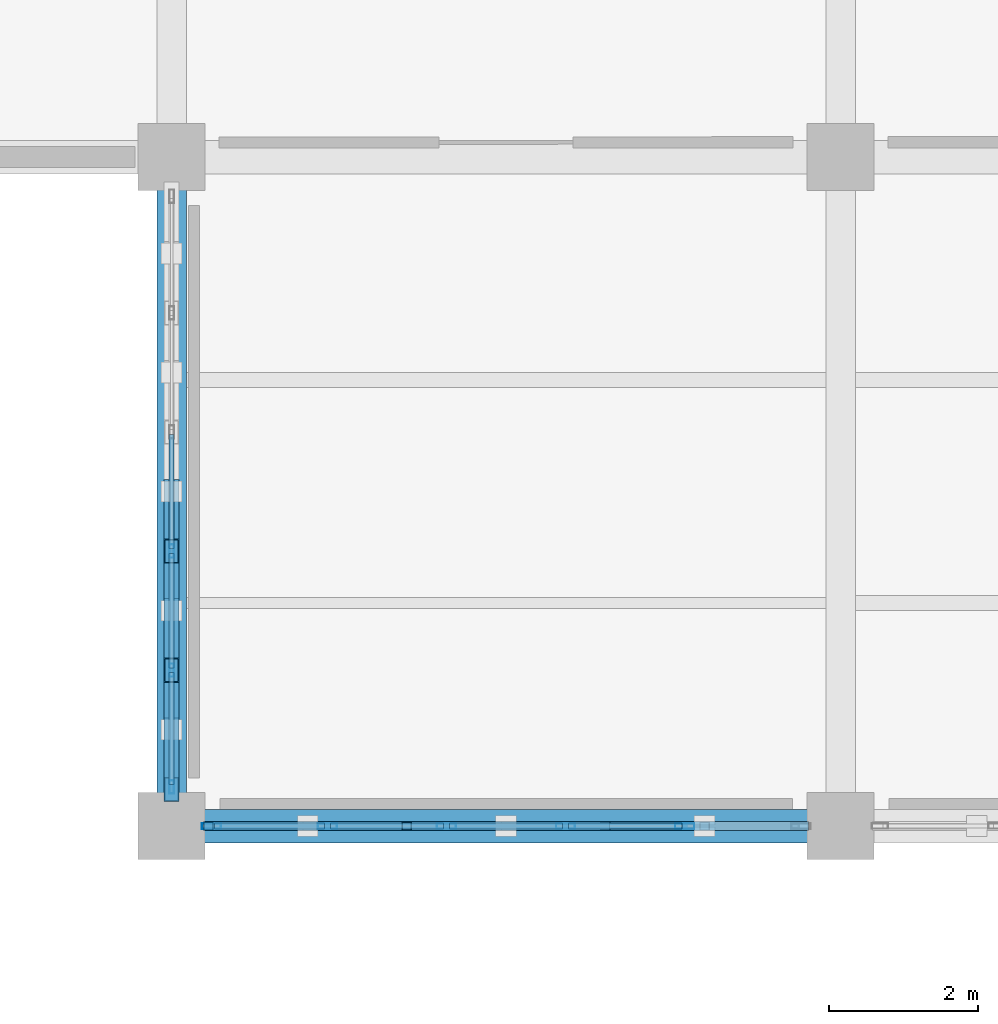
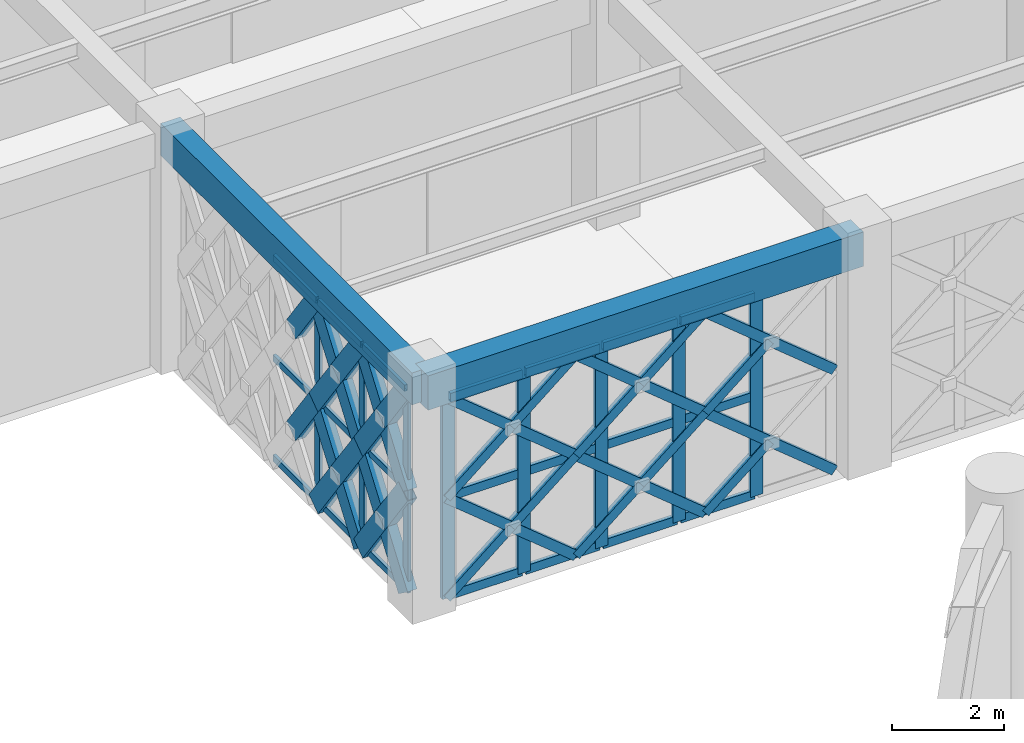
# One storey, part 74 of 166: 59 members, 2 beams, 2 elements without a shape of their own.
"""IFC4 building model written with IfcOpenShell, lengths in metres."""

from ifc_helpers import new_model, si_unit, direction, frame, origin, origin_2d, place, context, subcontext, project, spatial, rectangle, hollow_rectangle, extrude, material, material_profile, profile_set, type_object, element, aggregate, save


model = new_model("IFC4")

# Units and contexts
model_context = context("Model", 3, precision=1e-05, world=origin(), true_north=direction((0.0, 1.0)))
body_context = subcontext(model_context, "Body", "Model", "MODEL_VIEW")
ifc_project = project(units=[si_unit("LENGTHUNIT", "METRE"), si_unit("AREAUNIT", "SQUARE_METRE"), si_unit("VOLUMEUNIT", "CUBIC_METRE"), si_unit("PLANEANGLEUNIT", "RADIAN"), si_unit("MASSUNIT", "GRAM", prefix="KILO")], contexts=[model_context])

# Site, building, storey
site_placement = place(None, origin())
site = spatial("IfcSite", under=ifc_project, at=site_placement, CompositionType="ELEMENT")
building_placement = place(site_placement, origin())
building = spatial("IfcBuilding", under=site, at=building_placement, Name="Haizhuo Lancet Aquarium", CompositionType="ELEMENT")
storey_placement = place(building_placement, frame((0.0, 0.0, 5.39990234375)))
storey = spatial("IfcBuildingStorey", under=building, at=storey_placement, Name="L01", CompositionType="ELEMENT", Elevation=5.39990234375)

# Beams
ifc_material_1 = material(Name="Concrete C40/50", Category="concrete")
ifc_material_profile_1 = material_profile(ifc_material_1, rectangle(XDim=0.39990234375, YDim=0.699951171875, at=origin_2d()), Name="RC-BM 400x700")
ifc_profile_set_1 = profile_set([ifc_material_profile_1], Name="Concrete C40/50")
beam_type_1 = type_object("IfcBeamType", Name="BM-RC-400x700", PredefinedType="BEAM", material=ifc_profile_set_1)
beam_1_placement = place(storey_placement, frame((-18.0, 27.0, 4.7900390625), z_axis=(0.0, 1.0, 0.0), x_axis=(-1.0, 0.0, 0.0)))
element("IfcBeam", 1, at=beam_1_placement, inside=storey, type_object=beam_type_1, Name="L01 V5 primary girder BM-L01-V5-003", PredefinedType="BEAM", context=body_context, shape_type="SweptSolid", body=[
    extrude(rectangle(XDim=0.39990234375, YDim=0.699951171875, at=origin_2d()), origin(), (0.0, 0.0, 1.0), 9.0),
])
ifc_material_profile_2 = material_profile(ifc_material_1, rectangle(XDim=0.449951171875, YDim=0.75, at=origin_2d()), Name="RC-BM 450x750")
ifc_profile_set_2 = profile_set([ifc_material_profile_2], Name="Concrete C40/50")
beam_type_2 = type_object("IfcBeamType", Name="BM-RC-450x750", PredefinedType="BEAM", material=ifc_profile_set_2)
beam_2_placement = place(storey_placement, frame((-18.0, 27.0, 4.76513671875), z_axis=(1.0, 0.0, 0.0), x_axis=(0.0, 1.0, 0.0)))
element("IfcBeam", 2, at=beam_2_placement, inside=storey, type_object=beam_type_2, Name="L01 V5 primary girder BM-L01-V5-004", PredefinedType="BEAM", context=body_context, shape_type="SweptSolid", body=[
    extrude(rectangle(XDim=0.449951171875, YDim=0.75, at=origin_2d()), origin(), (0.0, 0.0, 1.0), 9.0),
])

# Curtain wall, members
ifc_material_2 = material(Name="Aluminium 6063-T6", Category="aluminium")
curtain_wall_type_1 = type_object("IfcCurtainWallType", Name="CWD-8010x4440", PredefinedType="NOTDEFINED", material=ifc_material_2)
curtain_wall_1_placement = place(storey_placement, origin())
curtain_wall_1 = element("IfcCurtainWall", 3, at=curtain_wall_1_placement, inside=storey, type_object=curtain_wall_type_1, Name="L01 curtain wall CW-V5-L01-142", PredefinedType="NOTDEFINED")
ifc_material_profile_3 = material_profile(ifc_material_2, hollow_rectangle(XDim=0.06494140625, YDim=0.179931640625, WallThickness=0.00390625, at=origin_2d()), Name="ALU-M 65x180x4")
ifc_profile_set_3 = profile_set([ifc_material_profile_3], Name="Aluminium 6063-T6")
member_type_1 = type_object("IfcMemberType", Name="CW-MUL-1", PredefinedType="MULLION", material=ifc_profile_set_3)
member_1_placement = place(storey_placement, frame((-18.0, 27.527099609375, 0.0), z_axis=(0.0, 0.0, 1.0), x_axis=(-1.0, 0.0, 0.0)))
member_1 = element("IfcMember", 4, at=member_1_placement, type_object=member_type_1, Name="CWD-80x44 mullion 1", PredefinedType="MULLION", context=body_context, shape_type="SweptSolid", body=[
    extrude(hollow_rectangle(XDim=0.06494140625, YDim=0.179931640625, WallThickness=0.00390625, at=origin_2d()), origin(), (0.0, 0.0, 1.0), 4.440185546875),
])
member_2_placement = place(storey_placement, frame((-18.0, 29.096923828125, 0.0), z_axis=(0.0, 0.0, 1.0), x_axis=(-1.0, 0.0, 0.0)))
member_2 = element("IfcMember", 5, at=member_2_placement, type_object=member_type_1, Name="CWD-80x44 mullion 2", PredefinedType="MULLION", context=body_context, shape_type="SweptSolid", body=[
    extrude(hollow_rectangle(XDim=0.06494140625, YDim=0.179931640625, WallThickness=0.00390625, at=origin_2d()), origin(), (0.0, 0.0, 1.0), 4.440185546875),
])
member_3_placement = place(storey_placement, frame((-18.0, 30.698974609375, 0.0), z_axis=(0.0, 0.0, 1.0), x_axis=(-1.0, 0.0, 0.0)))
member_3 = element("IfcMember", 6, at=member_3_placement, type_object=member_type_1, Name="CWD-80x44 mullion 3", PredefinedType="MULLION", context=body_context, shape_type="SweptSolid", body=[
    extrude(hollow_rectangle(XDim=0.06494140625, YDim=0.179931640625, WallThickness=0.00390625, at=origin_2d()), origin(), (0.0, 0.0, 1.0), 4.440185546875),
])

curtain_wall_type_2 = type_object("IfcCurtainWallType", Name="CWO-8010x4390", PredefinedType="NOTDEFINED", material=ifc_material_2)
curtain_wall_2_placement = place(storey_placement, origin())
curtain_wall_2 = element("IfcCurtainWall", 7, at=curtain_wall_2_placement, inside=storey, type_object=curtain_wall_type_2, Name="L01 curtain wall CW-V5-L01-141", PredefinedType="NOTDEFINED")
ifc_material_profile_4 = material_profile(ifc_material_2, hollow_rectangle(XDim=0.080078125, YDim=0.260009765625, WallThickness=0.0048828125, at=origin_2d()), Name="ALU-M 80x260x5")
ifc_profile_set_4 = profile_set([ifc_material_profile_4], Name="Aluminium 6063-T6")
member_type_2 = type_object("IfcMemberType", Name="CW-MUL-3", PredefinedType="MULLION", material=ifc_profile_set_4)
member_4_placement = place(storey_placement, frame((-11.096923828125, 27.0, 0.0), z_axis=(0.0, 0.0, 1.0), x_axis=(0.0, -1.0, 0.0)))
member_4 = element("IfcMember", 8, at=member_4_placement, type_object=member_type_2, Name="CWO-80x43 mullion 2", PredefinedType="MULLION", context=body_context, shape_type="SweptSolid", body=[
    extrude(hollow_rectangle(XDim=0.080078125, YDim=0.260009765625, WallThickness=0.0048828125, at=origin_2d()), origin(), (0.0, 0.0, 1.0), 4.39013671875),
])
member_5_placement = place(storey_placement, frame((-12.698974609375, 27.0, 0.0), z_axis=(0.0, 0.0, 1.0), x_axis=(0.0, -1.0, 0.0)))
member_5 = element("IfcMember", 9, at=member_5_placement, type_object=member_type_2, Name="CWO-80x43 mullion 3", PredefinedType="MULLION", context=body_context, shape_type="SweptSolid", body=[
    extrude(hollow_rectangle(XDim=0.080078125, YDim=0.260009765625, WallThickness=0.0048828125, at=origin_2d()), origin(), (0.0, 0.0, 1.0), 4.39013671875),
])
member_6_placement = place(storey_placement, frame((-14.301025390625, 27.0, 0.0), z_axis=(0.0, 0.0, 1.0), x_axis=(0.0, -1.0, 0.0)))
member_6 = element("IfcMember", 10, at=member_6_placement, type_object=member_type_2, Name="CWO-80x43 mullion 4", PredefinedType="MULLION", context=body_context, shape_type="SweptSolid", body=[
    extrude(hollow_rectangle(XDim=0.080078125, YDim=0.260009765625, WallThickness=0.0048828125, at=origin_2d()), origin(), (0.0, 0.0, 1.0), 4.39013671875),
])
member_7_placement = place(storey_placement, frame((-15.903076171875, 27.0, 0.0), z_axis=(0.0, 0.0, 1.0), x_axis=(0.0, -1.0, 0.0)))
member_7 = element("IfcMember", 11, at=member_7_placement, type_object=member_type_2, Name="CWO-80x43 mullion 5", PredefinedType="MULLION", context=body_context, shape_type="SweptSolid", body=[
    extrude(hollow_rectangle(XDim=0.080078125, YDim=0.260009765625, WallThickness=0.0048828125, at=origin_2d()), origin(), (0.0, 0.0, 1.0), 4.39013671875),
])
member_8_placement = place(storey_placement, frame((-17.465087890625, 27.0, 0.0), z_axis=(0.0, 0.0, 1.0), x_axis=(0.0, -1.0, 0.0)))
member_8 = element("IfcMember", 12, at=member_8_placement, type_object=member_type_2, Name="CWO-80x43 mullion 6", PredefinedType="MULLION", context=body_context, shape_type="SweptSolid", body=[
    extrude(hollow_rectangle(XDim=0.080078125, YDim=0.260009765625, WallThickness=0.0048828125, at=origin_2d()), origin(), (0.0, 0.0, 1.0), 4.39013671875),
])

# Member
ifc_material_profile_5 = material_profile(ifc_material_2, hollow_rectangle(XDim=0.06494140625, YDim=0.139892578125, WallThickness=0.00390625, at=origin_2d()), Name="ALU-T 65x140x4")
ifc_profile_set_5 = profile_set([ifc_material_profile_5], Name="Aluminium 6063-T6")
member_type_3 = type_object("IfcMemberType", Name="CW-TRN-1", PredefinedType="NOTDEFINED", material=ifc_profile_set_5)
member_9_placement = place(storey_placement, frame((-18.0, 27.56005859375, 0.033203125), z_axis=(0.0, 1.0, 0.0), x_axis=(-1.0, 0.0, 0.0)))
member_9 = element("IfcMember", 13, at=member_9_placement, type_object=member_type_3, Name="CWD-80x44 transom 1.1", ObjectType="TRANSOM", PredefinedType="USERDEFINED", context=body_context, shape_type="SweptSolid", body=[
    extrude(hollow_rectangle(XDim=0.06494140625, YDim=0.139892578125, WallThickness=0.00390625, at=origin_2d()), origin(), (0.0, 0.0, 1.0), 1.5048828125),
])

member_10_placement = place(storey_placement, frame((-18.0, 27.56005859375, 2.22021484375), z_axis=(0.0, 1.0, 0.0), x_axis=(-1.0, 0.0, 0.0)))
member_10 = element("IfcMember", 14, at=member_10_placement, type_object=member_type_3, Name="CWD-80x44 transom 1.2", ObjectType="TRANSOM", PredefinedType="USERDEFINED", context=body_context, shape_type="SweptSolid", body=[
    extrude(hollow_rectangle(XDim=0.06494140625, YDim=0.139892578125, WallThickness=0.00390625, at=origin_2d()), origin(), (0.0, 0.0, 1.0), 1.5048828125),
])

member_11_placement = place(storey_placement, frame((-18.0, 27.56005859375, 4.406982421875), z_axis=(0.0, 1.0, 0.0), x_axis=(-1.0, 0.0, 0.0)))
member_11 = element("IfcMember", 15, at=member_11_placement, type_object=member_type_3, Name="CWD-80x44 transom 1.3", ObjectType="TRANSOM", PredefinedType="USERDEFINED", context=body_context, shape_type="SweptSolid", body=[
    extrude(hollow_rectangle(XDim=0.06494140625, YDim=0.139892578125, WallThickness=0.00390625, at=origin_2d()), origin(), (0.0, 0.0, 1.0), 1.5048828125),
])

member_12_placement = place(storey_placement, frame((-18.0, 29.1298828125, 0.033203125), z_axis=(0.0, 1.0, 0.0), x_axis=(-1.0, 0.0, 0.0)))
member_12 = element("IfcMember", 16, at=member_12_placement, type_object=member_type_3, Name="CWD-80x44 transom 2.1", ObjectType="TRANSOM", PredefinedType="USERDEFINED", context=body_context, shape_type="SweptSolid", body=[
    extrude(hollow_rectangle(XDim=0.06494140625, YDim=0.139892578125, WallThickness=0.00390625, at=origin_2d()), origin(), (0.0, 0.0, 1.0), 1.537109375),
])

member_13_placement = place(storey_placement, frame((-18.0, 29.1298828125, 2.22021484375), z_axis=(0.0, 1.0, 0.0), x_axis=(-1.0, 0.0, 0.0)))
member_13 = element("IfcMember", 17, at=member_13_placement, type_object=member_type_3, Name="CWD-80x44 transom 2.2", ObjectType="TRANSOM", PredefinedType="USERDEFINED", context=body_context, shape_type="SweptSolid", body=[
    extrude(hollow_rectangle(XDim=0.06494140625, YDim=0.139892578125, WallThickness=0.00390625, at=origin_2d()), origin(), (0.0, 0.0, 1.0), 1.537109375),
])

member_14_placement = place(storey_placement, frame((-18.0, 29.1298828125, 4.406982421875), z_axis=(0.0, 1.0, 0.0), x_axis=(-1.0, 0.0, 0.0)))
member_14 = element("IfcMember", 18, at=member_14_placement, type_object=member_type_3, Name="CWD-80x44 transom 2.3", ObjectType="TRANSOM", PredefinedType="USERDEFINED", context=body_context, shape_type="SweptSolid", body=[
    extrude(hollow_rectangle(XDim=0.06494140625, YDim=0.139892578125, WallThickness=0.00390625, at=origin_2d()), origin(), (0.0, 0.0, 1.0), 1.537109375),
])

member_15_placement = place(storey_placement, frame((-18.0, 30.73193359375, 0.033203125), z_axis=(0.0, 1.0, 0.0), x_axis=(-1.0, 0.0, 0.0)))
member_15 = element("IfcMember", 19, at=member_15_placement, type_object=member_type_3, Name="CWD-80x44 transom 3.1", ObjectType="TRANSOM", PredefinedType="USERDEFINED", context=body_context, shape_type="SweptSolid", body=[
    extrude(hollow_rectangle(XDim=0.06494140625, YDim=0.139892578125, WallThickness=0.00390625, at=origin_2d()), origin(), (0.0, 0.0, 1.0), 1.537109375),
])

member_16_placement = place(storey_placement, frame((-18.0, 30.73193359375, 2.22021484375), z_axis=(0.0, 1.0, 0.0), x_axis=(-1.0, 0.0, 0.0)))
member_16 = element("IfcMember", 20, at=member_16_placement, type_object=member_type_3, Name="CWD-80x44 transom 3.2", ObjectType="TRANSOM", PredefinedType="USERDEFINED", context=body_context, shape_type="SweptSolid", body=[
    extrude(hollow_rectangle(XDim=0.06494140625, YDim=0.139892578125, WallThickness=0.00390625, at=origin_2d()), origin(), (0.0, 0.0, 1.0), 1.537109375),
])

member_17_placement = place(storey_placement, frame((-18.0, 30.73193359375, 4.406982421875), z_axis=(0.0, 1.0, 0.0), x_axis=(-1.0, 0.0, 0.0)))
member_17 = element("IfcMember", 21, at=member_17_placement, type_object=member_type_3, Name="CWD-80x44 transom 3.3", ObjectType="TRANSOM", PredefinedType="USERDEFINED", context=body_context, shape_type="SweptSolid", body=[
    extrude(hollow_rectangle(XDim=0.06494140625, YDim=0.139892578125, WallThickness=0.00390625, at=origin_2d()), origin(), (0.0, 0.0, 1.0), 1.537109375),
])

aggregate(curtain_wall_1, [member_1, member_2, member_3, member_9, member_10, member_11, member_12, member_13, member_14, member_15, member_16, member_17])

ifc_material_profile_6 = material_profile(ifc_material_2, hollow_rectangle(XDim=0.080078125, YDim=0.18994140625, WallThickness=0.0048828125, at=origin_2d()), Name="ALU-T 80x190x5")
ifc_profile_set_6 = profile_set([ifc_material_profile_6], Name="Aluminium 6063-T6")
member_type_4 = type_object("IfcMemberType", Name="CW-TRN-3", PredefinedType="NOTDEFINED", material=ifc_profile_set_6)
member_18_placement = place(storey_placement, frame((-11.136962890625, 27.0, 0.0400390625), z_axis=(-1.0, 0.0, 0.0), x_axis=(0.0, -1.0, 0.0)))
member_18 = element("IfcMember", 22, at=member_18_placement, type_object=member_type_4, Name="CWO-80x43 transom 2.1", ObjectType="TRANSOM", PredefinedType="USERDEFINED", context=body_context, shape_type="SweptSolid", body=[
    extrude(hollow_rectangle(XDim=0.080078125, YDim=0.18994140625, WallThickness=0.0048828125, at=origin_2d()), origin(), (0.0, 0.0, 1.0), 1.52197265625),
])

member_19_placement = place(storey_placement, frame((-11.136962890625, 27.0, 2.195068359375), z_axis=(-1.0, 0.0, 0.0), x_axis=(0.0, -1.0, 0.0)))
member_19 = element("IfcMember", 23, at=member_19_placement, type_object=member_type_4, Name="CWO-80x43 transom 2.2", ObjectType="TRANSOM", PredefinedType="USERDEFINED", context=body_context, shape_type="SweptSolid", body=[
    extrude(hollow_rectangle(XDim=0.080078125, YDim=0.18994140625, WallThickness=0.0048828125, at=origin_2d()), origin(), (0.0, 0.0, 1.0), 1.52197265625),
])

member_20_placement = place(storey_placement, frame((-11.136962890625, 27.0, 4.35009765625), z_axis=(-1.0, 0.0, 0.0), x_axis=(0.0, -1.0, 0.0)))
member_20 = element("IfcMember", 24, at=member_20_placement, type_object=member_type_4, Name="CWO-80x43 transom 2.3", ObjectType="TRANSOM", PredefinedType="USERDEFINED", context=body_context, shape_type="SweptSolid", body=[
    extrude(hollow_rectangle(XDim=0.080078125, YDim=0.18994140625, WallThickness=0.0048828125, at=origin_2d()), origin(), (0.0, 0.0, 1.0), 1.52197265625),
])

member_21_placement = place(storey_placement, frame((-12.739013671875, 27.0, 0.0400390625), z_axis=(-1.0, 0.0, 0.0), x_axis=(0.0, -1.0, 0.0)))
member_21 = element("IfcMember", 25, at=member_21_placement, type_object=member_type_4, Name="CWO-80x43 transom 3.1", ObjectType="TRANSOM", PredefinedType="USERDEFINED", context=body_context, shape_type="SweptSolid", body=[
    extrude(hollow_rectangle(XDim=0.080078125, YDim=0.18994140625, WallThickness=0.0048828125, at=origin_2d()), origin(), (0.0, 0.0, 1.0), 1.52197265625),
])

member_22_placement = place(storey_placement, frame((-12.739013671875, 27.0, 2.195068359375), z_axis=(-1.0, 0.0, 0.0), x_axis=(0.0, -1.0, 0.0)))
member_22 = element("IfcMember", 26, at=member_22_placement, type_object=member_type_4, Name="CWO-80x43 transom 3.2", ObjectType="TRANSOM", PredefinedType="USERDEFINED", context=body_context, shape_type="SweptSolid", body=[
    extrude(hollow_rectangle(XDim=0.080078125, YDim=0.18994140625, WallThickness=0.0048828125, at=origin_2d()), origin(), (0.0, 0.0, 1.0), 1.52197265625),
])

member_23_placement = place(storey_placement, frame((-12.739013671875, 27.0, 4.35009765625), z_axis=(-1.0, 0.0, 0.0), x_axis=(0.0, -1.0, 0.0)))
member_23 = element("IfcMember", 27, at=member_23_placement, type_object=member_type_4, Name="CWO-80x43 transom 3.3", ObjectType="TRANSOM", PredefinedType="USERDEFINED", context=body_context, shape_type="SweptSolid", body=[
    extrude(hollow_rectangle(XDim=0.080078125, YDim=0.18994140625, WallThickness=0.0048828125, at=origin_2d()), origin(), (0.0, 0.0, 1.0), 1.52197265625),
])

member_24_placement = place(storey_placement, frame((-14.341064453125, 27.0, 0.0400390625), z_axis=(-1.0, 0.0, 0.0), x_axis=(0.0, -1.0, 0.0)))
member_24 = element("IfcMember", 28, at=member_24_placement, type_object=member_type_4, Name="CWO-80x43 transom 4.1", ObjectType="TRANSOM", PredefinedType="USERDEFINED", context=body_context, shape_type="SweptSolid", body=[
    extrude(hollow_rectangle(XDim=0.080078125, YDim=0.18994140625, WallThickness=0.0048828125, at=origin_2d()), origin(), (0.0, 0.0, 1.0), 1.52197265625),
])

member_25_placement = place(storey_placement, frame((-14.341064453125, 27.0, 2.195068359375), z_axis=(-1.0, 0.0, 0.0), x_axis=(0.0, -1.0, 0.0)))
member_25 = element("IfcMember", 29, at=member_25_placement, type_object=member_type_4, Name="CWO-80x43 transom 4.2", ObjectType="TRANSOM", PredefinedType="USERDEFINED", context=body_context, shape_type="SweptSolid", body=[
    extrude(hollow_rectangle(XDim=0.080078125, YDim=0.18994140625, WallThickness=0.0048828125, at=origin_2d()), origin(), (0.0, 0.0, 1.0), 1.52197265625),
])

member_26_placement = place(storey_placement, frame((-14.341064453125, 27.0, 4.35009765625), z_axis=(-1.0, 0.0, 0.0), x_axis=(0.0, -1.0, 0.0)))
member_26 = element("IfcMember", 30, at=member_26_placement, type_object=member_type_4, Name="CWO-80x43 transom 4.3", ObjectType="TRANSOM", PredefinedType="USERDEFINED", context=body_context, shape_type="SweptSolid", body=[
    extrude(hollow_rectangle(XDim=0.080078125, YDim=0.18994140625, WallThickness=0.0048828125, at=origin_2d()), origin(), (0.0, 0.0, 1.0), 1.52197265625),
])

member_27_placement = place(storey_placement, frame((-15.943115234375, 27.0, 0.0400390625), z_axis=(-1.0, 0.0, 0.0), x_axis=(0.0, -1.0, 0.0)))
member_27 = element("IfcMember", 31, at=member_27_placement, type_object=member_type_4, Name="CWO-80x43 transom 5.1", ObjectType="TRANSOM", PredefinedType="USERDEFINED", context=body_context, shape_type="SweptSolid", body=[
    extrude(hollow_rectangle(XDim=0.080078125, YDim=0.18994140625, WallThickness=0.0048828125, at=origin_2d()), origin(), (0.0, 0.0, 1.0), 1.48193359375),
])

member_28_placement = place(storey_placement, frame((-15.943115234375, 27.0, 2.195068359375), z_axis=(-1.0, 0.0, 0.0), x_axis=(0.0, -1.0, 0.0)))
member_28 = element("IfcMember", 32, at=member_28_placement, type_object=member_type_4, Name="CWO-80x43 transom 5.2", ObjectType="TRANSOM", PredefinedType="USERDEFINED", context=body_context, shape_type="SweptSolid", body=[
    extrude(hollow_rectangle(XDim=0.080078125, YDim=0.18994140625, WallThickness=0.0048828125, at=origin_2d()), origin(), (0.0, 0.0, 1.0), 1.48193359375),
])

member_29_placement = place(storey_placement, frame((-15.943115234375, 27.0, 4.35009765625), z_axis=(-1.0, 0.0, 0.0), x_axis=(0.0, -1.0, 0.0)))
member_29 = element("IfcMember", 33, at=member_29_placement, type_object=member_type_4, Name="CWO-80x43 transom 5.3", ObjectType="TRANSOM", PredefinedType="USERDEFINED", context=body_context, shape_type="SweptSolid", body=[
    extrude(hollow_rectangle(XDim=0.080078125, YDim=0.18994140625, WallThickness=0.0048828125, at=origin_2d()), origin(), (0.0, 0.0, 1.0), 1.48193359375),
])

aggregate(curtain_wall_2, [member_4, member_5, member_6, member_7, member_8, member_18, member_19, member_20, member_21, member_22, member_23, member_24, member_25, member_26, member_27, member_28, member_29])

# Members
ifc_material_3 = material(Name="Steel S355", Category="steel")
ifc_material_profile_7 = material_profile(ifc_material_3, hollow_rectangle(XDim=0.1201171875, YDim=0.199951171875, WallThickness=0.008056640625, at=origin_2d()), Name="RHS 120x200x8")
ifc_profile_set_7 = profile_set([ifc_material_profile_7], Name="Steel S355")
member_type_5 = type_object("IfcMemberType", Name="MEM-LB-RHS120x200", PredefinedType="BRACE", material=ifc_profile_set_7)
member_30_placement = place(storey_placement, frame((-9.4951171875, 27.0, 0.0), z_axis=(-0.772453976084, 0.0, 0.635070747895), x_axis=(0.0, -1.0, 0.0)))
element("IfcMember", 34, at=member_30_placement, inside=storey, type_object=member_type_5, Name="Gothic lancet continuous diagonal brace CW-V5-L01-141 1A", PredefinedType="BRACE", context=body_context, shape_type="SweptSolid", body=[
    extrude(hollow_rectangle(XDim=0.1201171875, YDim=0.199951171875, WallThickness=0.008056640625, at=origin_2d()), origin(), (0.0, 0.0, 1.0), 3.456298828125),
])
member_31_placement = place(storey_placement, frame((-12.1650390625, 27.0, 0.0), z_axis=(0.772280733977, 0.0, 0.635281408454), x_axis=(0.0, 1.0, 0.0)))
element("IfcMember", 35, at=member_31_placement, inside=storey, type_object=member_type_5, Name="Gothic lancet split diagonal brace CW-V5-L01-141 1B1", PredefinedType="BRACE", context=body_context, shape_type="SweptSolid", body=[
    extrude(hollow_rectangle(XDim=0.1201171875, YDim=0.199951171875, WallThickness=0.008056640625, at=origin_2d()), origin(), (0.0, 0.0, 1.0), 1.728515625),
])
member_32_placement = place(storey_placement, frame((-9.4951171875, 27.0, 2.195068359375), z_axis=(-0.772453976084, 0.0, 0.635070747895), x_axis=(0.0, -1.0, 0.0)))
element("IfcMember", 36, at=member_32_placement, inside=storey, type_object=member_type_5, Name="Gothic lancet continuous diagonal brace CW-V5-L01-141 2A", PredefinedType="BRACE", context=body_context, shape_type="SweptSolid", body=[
    extrude(hollow_rectangle(XDim=0.1201171875, YDim=0.199951171875, WallThickness=0.008056640625, at=origin_2d()), origin(), (0.0, 0.0, 1.0), 3.456298828125),
])
member_33_placement = place(storey_placement, frame((-12.1650390625, 27.0, 2.195068359375), z_axis=(0.772627238419, 0.0, 0.634859945541), x_axis=(0.0, 1.0, 0.0)))
element("IfcMember", 37, at=member_33_placement, inside=storey, type_object=member_type_5, Name="Gothic lancet split diagonal brace CW-V5-L01-141 2B1", PredefinedType="BRACE", context=body_context, shape_type="SweptSolid", body=[
    extrude(hollow_rectangle(XDim=0.1201171875, YDim=0.199951171875, WallThickness=0.008056640625, at=origin_2d()), origin(), (0.0, 0.0, 1.0), 1.727783203125),
])
member_34_placement = place(storey_placement, frame((-12.1650390625, 27.0, 0.0), z_axis=(-0.772453976084, 0.0, 0.635070747895), x_axis=(0.0, -1.0, 0.0)))
element("IfcMember", 38, at=member_34_placement, inside=storey, type_object=member_type_5, Name="Gothic lancet continuous diagonal brace CW-V5-L01-141 3A", PredefinedType="BRACE", context=body_context, shape_type="SweptSolid", body=[
    extrude(hollow_rectangle(XDim=0.1201171875, YDim=0.199951171875, WallThickness=0.008056640625, at=origin_2d()), origin(), (0.0, 0.0, 1.0), 3.456298828125),
])
member_35_placement = place(storey_placement, frame((-14.8349609375, 27.0, 0.0), z_axis=(0.772280733977, 0.0, 0.635281408454), x_axis=(0.0, 1.0, 0.0)))
element("IfcMember", 39, at=member_35_placement, inside=storey, type_object=member_type_5, Name="Gothic lancet split diagonal brace CW-V5-L01-141 3B1", PredefinedType="BRACE", context=body_context, shape_type="SweptSolid", body=[
    extrude(hollow_rectangle(XDim=0.1201171875, YDim=0.199951171875, WallThickness=0.008056640625, at=origin_2d()), origin(), (0.0, 0.0, 1.0), 1.728515625),
])
member_36_placement = place(storey_placement, frame((-13.5, 27.0, 1.09814453125), z_axis=(0.772627238419, 0.0, 0.634859945541), x_axis=(0.0, 1.0, 0.0)))
element("IfcMember", 40, at=member_36_placement, inside=storey, type_object=member_type_5, Name="Gothic lancet split diagonal brace CW-V5-L01-141 3B2", PredefinedType="BRACE", context=body_context, shape_type="SweptSolid", body=[
    extrude(hollow_rectangle(XDim=0.1201171875, YDim=0.199951171875, WallThickness=0.008056640625, at=origin_2d()), origin(), (0.0, 0.0, 1.0), 1.727783203125),
])
member_37_placement = place(storey_placement, frame((-12.1650390625, 27.0, 2.195068359375), z_axis=(-0.772453976084, 0.0, 0.635070747895), x_axis=(0.0, -1.0, 0.0)))
element("IfcMember", 41, at=member_37_placement, inside=storey, type_object=member_type_5, Name="Gothic lancet continuous diagonal brace CW-V5-L01-141 4A", PredefinedType="BRACE", context=body_context, shape_type="SweptSolid", body=[
    extrude(hollow_rectangle(XDim=0.1201171875, YDim=0.199951171875, WallThickness=0.008056640625, at=origin_2d()), origin(), (0.0, 0.0, 1.0), 3.456298828125),
])
member_38_placement = place(storey_placement, frame((-14.8349609375, 27.0, 2.195068359375), z_axis=(0.772627238419, 0.0, 0.634859945541), x_axis=(0.0, 1.0, 0.0)))
element("IfcMember", 42, at=member_38_placement, inside=storey, type_object=member_type_5, Name="Gothic lancet split diagonal brace CW-V5-L01-141 4B1", PredefinedType="BRACE", context=body_context, shape_type="SweptSolid", body=[
    extrude(hollow_rectangle(XDim=0.1201171875, YDim=0.199951171875, WallThickness=0.008056640625, at=origin_2d()), origin(), (0.0, 0.0, 1.0), 1.727783203125),
])
member_39_placement = place(storey_placement, frame((-13.5, 27.0, 3.2919921875), z_axis=(0.772280733977, 0.0, 0.635281408454), x_axis=(0.0, 1.0, 0.0)))
element("IfcMember", 43, at=member_39_placement, inside=storey, type_object=member_type_5, Name="Gothic lancet split diagonal brace CW-V5-L01-141 4B2", PredefinedType="BRACE", context=body_context, shape_type="SweptSolid", body=[
    extrude(hollow_rectangle(XDim=0.1201171875, YDim=0.199951171875, WallThickness=0.008056640625, at=origin_2d()), origin(), (0.0, 0.0, 1.0), 1.728515625),
])
member_40_placement = place(storey_placement, frame((-14.8349609375, 27.0, 0.0), z_axis=(-0.772453976084, 0.0, 0.635070747895), x_axis=(0.0, -1.0, 0.0)))
element("IfcMember", 44, at=member_40_placement, inside=storey, type_object=member_type_5, Name="Gothic lancet continuous diagonal brace CW-V5-L01-141 5A", PredefinedType="BRACE", context=body_context, shape_type="SweptSolid", body=[
    extrude(hollow_rectangle(XDim=0.1201171875, YDim=0.199951171875, WallThickness=0.008056640625, at=origin_2d()), origin(), (0.0, 0.0, 1.0), 3.456298828125),
])
member_41_placement = place(storey_placement, frame((-17.5048828125, 27.0, 0.0), z_axis=(0.772280733977, 0.0, 0.635281408454), x_axis=(0.0, 1.0, 0.0)))
element("IfcMember", 45, at=member_41_placement, inside=storey, type_object=member_type_5, Name="Gothic lancet split diagonal brace CW-V5-L01-141 5B1", PredefinedType="BRACE", context=body_context, shape_type="SweptSolid", body=[
    extrude(hollow_rectangle(XDim=0.1201171875, YDim=0.199951171875, WallThickness=0.008056640625, at=origin_2d()), origin(), (0.0, 0.0, 1.0), 1.728515625),
])
member_42_placement = place(storey_placement, frame((-16.169921875, 27.0, 1.09814453125), z_axis=(0.772627238419, 0.0, 0.634859945541), x_axis=(0.0, 1.0, 0.0)))
element("IfcMember", 46, at=member_42_placement, inside=storey, type_object=member_type_5, Name="Gothic lancet split diagonal brace CW-V5-L01-141 5B2", PredefinedType="BRACE", context=body_context, shape_type="SweptSolid", body=[
    extrude(hollow_rectangle(XDim=0.1201171875, YDim=0.199951171875, WallThickness=0.008056640625, at=origin_2d()), origin(), (0.0, 0.0, 1.0), 1.727783203125),
])
member_43_placement = place(storey_placement, frame((-14.8349609375, 27.0, 2.195068359375), z_axis=(-0.772453976084, 0.0, 0.635070747895), x_axis=(0.0, -1.0, 0.0)))
element("IfcMember", 47, at=member_43_placement, inside=storey, type_object=member_type_5, Name="Gothic lancet continuous diagonal brace CW-V5-L01-141 6A", PredefinedType="BRACE", context=body_context, shape_type="SweptSolid", body=[
    extrude(hollow_rectangle(XDim=0.1201171875, YDim=0.199951171875, WallThickness=0.008056640625, at=origin_2d()), origin(), (0.0, 0.0, 1.0), 3.456298828125),
])
member_44_placement = place(storey_placement, frame((-17.5048828125, 27.0, 2.195068359375), z_axis=(0.772627238419, 0.0, 0.634859945541), x_axis=(0.0, 1.0, 0.0)))
element("IfcMember", 48, at=member_44_placement, inside=storey, type_object=member_type_5, Name="Gothic lancet split diagonal brace CW-V5-L01-141 6B1", PredefinedType="BRACE", context=body_context, shape_type="SweptSolid", body=[
    extrude(hollow_rectangle(XDim=0.1201171875, YDim=0.199951171875, WallThickness=0.008056640625, at=origin_2d()), origin(), (0.0, 0.0, 1.0), 1.727783203125),
])
member_45_placement = place(storey_placement, frame((-16.169921875, 27.0, 3.2919921875), z_axis=(0.772280733977, 0.0, 0.635281408454), x_axis=(0.0, 1.0, 0.0)))
element("IfcMember", 49, at=member_45_placement, inside=storey, type_object=member_type_5, Name="Gothic lancet split diagonal brace CW-V5-L01-141 6B2", PredefinedType="BRACE", context=body_context, shape_type="SweptSolid", body=[
    extrude(hollow_rectangle(XDim=0.1201171875, YDim=0.199951171875, WallThickness=0.008056640625, at=origin_2d()), origin(), (0.0, 0.0, 1.0), 1.728515625),
])
ifc_material_profile_8 = material_profile(ifc_material_3, hollow_rectangle(XDim=0.199951171875, YDim=0.39990234375, WallThickness=0.011962890625, at=origin_2d()), Name="RHS 200x400x12")
ifc_profile_set_8 = profile_set([ifc_material_profile_8], Name="Steel S355")
member_type_6 = type_object("IfcMemberType", Name="MEM-LB-RHS200x400", PredefinedType="BRACE", material=ifc_profile_set_8)
member_46_placement = place(storey_placement, frame((-18.0, 27.4951171875, 0.0), z_axis=(0.0, 0.58508674522, 0.810970714988), x_axis=(-1.0, 0.0, 0.0)))
element("IfcMember", 50, at=member_46_placement, inside=storey, type_object=member_type_6, Name="Gothic lancet continuous diagonal brace CW-V5-L01-142 1A", PredefinedType="BRACE", context=body_context, shape_type="SweptSolid", body=[
    extrude(hollow_rectangle(XDim=0.199951171875, YDim=0.39990234375, WallThickness=0.011962890625, at=origin_2d()), origin(), (0.0, 0.0, 1.0), 2.73779296875),
])
for number, where, z_axis, x_axis, name in (
    (51, (-18.0, 29.096923828125, 0.0), (0.0, -0.585145389624, 0.810928401896), (1.0, 0.0, 0.0), "Gothic lancet split diagonal brace CW-V5-L01-142 1B1"),
    (52, (-18.0, 28.2958984375, 1.110107421875), (0.0, -0.585028091636, 0.811013028253), (1.0, 0.0, 0.0), "Gothic lancet split diagonal brace CW-V5-L01-142 1B2"),
):
    element("IfcMember", number, at=place(storey_placement, frame(where, z_axis=z_axis, x_axis=x_axis)), inside=storey, type_object=member_type_6, Name=name, PredefinedType="BRACE", context=body_context, shape_type="SweptSolid", body=[
        extrude(hollow_rectangle(XDim=0.199951171875, YDim=0.39990234375, WallThickness=0.011962890625, at=origin_2d()), origin(), (0.0, 0.0, 1.0), 1.368896484375),
    ])
member_47_placement = place(storey_placement, frame((-18.0, 27.4951171875, 2.22021484375), z_axis=(0.0, 0.585129060663, 0.810940184211), x_axis=(-1.0, 0.0, 0.0)))
element("IfcMember", 53, at=member_47_placement, inside=storey, type_object=member_type_6, Name="Gothic lancet continuous diagonal brace CW-V5-L01-142 2A", PredefinedType="BRACE", context=body_context, shape_type="SweptSolid", body=[
    extrude(hollow_rectangle(XDim=0.199951171875, YDim=0.39990234375, WallThickness=0.011962890625, at=origin_2d()), origin(), (0.0, 0.0, 1.0), 2.737548828125),
])
member_48_placement = place(storey_placement, frame((-18.0, 29.096923828125, 2.22021484375), z_axis=(0.0, -0.585230024685, 0.810867324663), x_axis=(1.0, 0.0, 0.0)))
element("IfcMember", 54, at=member_48_placement, inside=storey, type_object=member_type_6, Name="Gothic lancet split diagonal brace CW-V5-L01-142 2B1", PredefinedType="BRACE", context=body_context, shape_type="SweptSolid", body=[
    extrude(hollow_rectangle(XDim=0.199951171875, YDim=0.39990234375, WallThickness=0.011962890625, at=origin_2d()), origin(), (0.0, 0.0, 1.0), 1.36865234375),
])
member_49_placement = place(storey_placement, frame((-18.0, 28.2958984375, 3.330078125), z_axis=(0.0, -0.585028091636, 0.811013028253), x_axis=(1.0, 0.0, 0.0)))
element("IfcMember", 55, at=member_49_placement, inside=storey, type_object=member_type_6, Name="Gothic lancet split diagonal brace CW-V5-L01-142 2B2", PredefinedType="BRACE", context=body_context, shape_type="SweptSolid", body=[
    extrude(hollow_rectangle(XDim=0.199951171875, YDim=0.39990234375, WallThickness=0.011962890625, at=origin_2d()), origin(), (0.0, 0.0, 1.0), 1.368896484375),
])
member_50_placement = place(storey_placement, frame((-18.0, 29.096923828125, 0.0), z_axis=(0.0, 0.585145389624, 0.810928401896), x_axis=(-1.0, 0.0, 0.0)))
element("IfcMember", 56, at=member_50_placement, inside=storey, type_object=member_type_6, Name="Gothic lancet continuous diagonal brace CW-V5-L01-142 3A", PredefinedType="BRACE", context=body_context, shape_type="SweptSolid", body=[
    extrude(hollow_rectangle(XDim=0.199951171875, YDim=0.39990234375, WallThickness=0.011962890625, at=origin_2d()), origin(), (0.0, 0.0, 1.0), 2.73779296875),
])
for number, where, z_axis, x_axis, name in (
    (57, (-18.0, 30.698974609375, 0.0), (0.0, -0.585145389624, 0.810928401896), (1.0, 0.0, 0.0), "Gothic lancet split diagonal brace CW-V5-L01-142 3B1"),
    (58, (-18.0, 29.89794921875, 1.110107421875), (0.0, -0.585145389624, 0.810928401896), (1.0, 0.0, 0.0), "Gothic lancet split diagonal brace CW-V5-L01-142 3B2"),
):
    element("IfcMember", number, at=place(storey_placement, frame(where, z_axis=z_axis, x_axis=x_axis)), inside=storey, type_object=member_type_6, Name=name, PredefinedType="BRACE", context=body_context, shape_type="SweptSolid", body=[
        extrude(hollow_rectangle(XDim=0.199951171875, YDim=0.39990234375, WallThickness=0.011962890625, at=origin_2d()), origin(), (0.0, 0.0, 1.0), 1.368896484375),
    ])
member_51_placement = place(storey_placement, frame((-18.0, 29.096923828125, 2.22021484375), z_axis=(0.0, 0.585187704891, 0.810897866592), x_axis=(-1.0, 0.0, 0.0)))
element("IfcMember", 59, at=member_51_placement, inside=storey, type_object=member_type_6, Name="Gothic lancet continuous diagonal brace CW-V5-L01-142 4A", PredefinedType="BRACE", context=body_context, shape_type="SweptSolid", body=[
    extrude(hollow_rectangle(XDim=0.199951171875, YDim=0.39990234375, WallThickness=0.011962890625, at=origin_2d()), origin(), (0.0, 0.0, 1.0), 2.737548828125),
])
member_52_placement = place(storey_placement, frame((-18.0, 30.698974609375, 2.22021484375), z_axis=(0.0, -0.585230024685, 0.810867324663), x_axis=(1.0, 0.0, 0.0)))
element("IfcMember", 60, at=member_52_placement, inside=storey, type_object=member_type_6, Name="Gothic lancet split diagonal brace CW-V5-L01-142 4B1", PredefinedType="BRACE", context=body_context, shape_type="SweptSolid", body=[
    extrude(hollow_rectangle(XDim=0.199951171875, YDim=0.39990234375, WallThickness=0.011962890625, at=origin_2d()), origin(), (0.0, 0.0, 1.0), 1.36865234375),
])
for number, where, z_axis, x_axis, name in (
    (61, (-18.0, 29.89794921875, 3.330078125), (0.0, -0.585145389624, 0.810928401896), (1.0, 0.0, 0.0), "Gothic lancet split diagonal brace CW-V5-L01-142 4B2"),
    (62, (-18.0, 31.5, 1.110107421875), (0.0, -0.585145389624, 0.810928401896), (1.0, 0.0, 0.0), "Gothic lancet split diagonal brace CW-V5-L01-142 5B2"),
    (63, (-18.0, 31.5, 3.330078125), (0.0, -0.585145389624, 0.810928401896), (1.0, 0.0, 0.0), "Gothic lancet split diagonal brace CW-V5-L01-142 6B2"),
):
    element("IfcMember", number, at=place(storey_placement, frame(where, z_axis=z_axis, x_axis=x_axis)), inside=storey, type_object=member_type_6, Name=name, PredefinedType="BRACE", context=body_context, shape_type="SweptSolid", body=[
        extrude(hollow_rectangle(XDim=0.199951171875, YDim=0.39990234375, WallThickness=0.011962890625, at=origin_2d()), origin(), (0.0, 0.0, 1.0), 1.368896484375),
    ])

save(model, "model.ifc")
